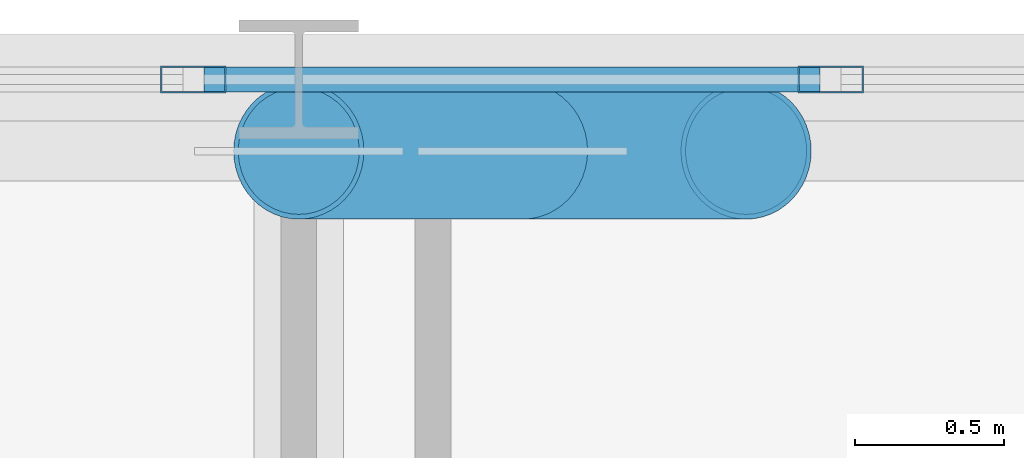
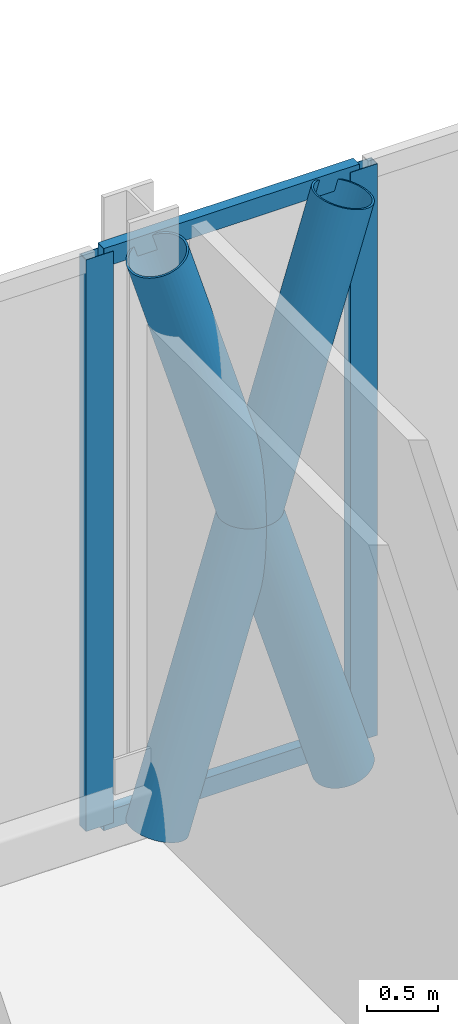
# One storey, part 15 of 36: 7 members, 2 elements without a shape of their own.
"""IFC4 building model written with IfcOpenShell, lengths in metres."""

from ifc_helpers import new_model, si_unit, direction, frame, origin, origin_2d, place, context, subcontext, project, spatial, hollow_rectangle, hollow_circle, extrude, material, layer, layer_set, material_profile, profile_set, type_object, element, aggregate, save


model = new_model("IFC4")

# Units and contexts
model_context = context("Model", 3, precision=1e-05, world=origin(), true_north=direction((0.0, 1.0)))
body_context = subcontext(model_context, "Body", "Model", "MODEL_VIEW")
ifc_project = project(units=[si_unit("LENGTHUNIT", "METRE"), si_unit("AREAUNIT", "SQUARE_METRE"), si_unit("VOLUMEUNIT", "CUBIC_METRE"), si_unit("PLANEANGLEUNIT", "RADIAN"), si_unit("MASSUNIT", "GRAM", prefix="KILO")], contexts=[model_context])

# Site, building, storey
site_placement = place(None, origin())
site = spatial("IfcSite", under=ifc_project, at=site_placement, CompositionType="ELEMENT")
building_placement = place(site_placement, origin())
building = spatial("IfcBuilding", under=site, at=building_placement, Name="Keshet Zoharim Tower", CompositionType="ELEMENT")
storey_placement = place(building_placement, frame((0.0, 0.0, 81.199951171875)))
storey = spatial("IfcBuildingStorey", under=building, at=storey_placement, Name="L19", CompositionType="ELEMENT", Elevation=81.199951171875)

# Curtain wall, member
ifc_material_1 = material(Name="Aluminium 6063-T6", Category="aluminium")
ifc_layer = layer(ifc_material_1, 0.169921875)
ifc_layer_set = layer_set([ifc_layer], Name="Aluminium 6063-T6")
curtain_wall_type = type_object("IfcCurtainWallType", Name="CW-SYS-02", PredefinedType="NOTDEFINED", material=ifc_layer_set)
curtain_wall_1_placement = place(storey_placement, origin())
curtain_wall_1 = element("IfcCurtainWall", 1, at=curtain_wall_1_placement, inside=storey, type_object=curtain_wall_type, Name="L19 Unitised Curtain Wall 07 Part 5", PredefinedType="NOTDEFINED")
ifc_material_profile_1 = material_profile(ifc_material_1, hollow_rectangle(XDim=0.090087890625, YDim=0.219970703125, WallThickness=0.0048828125, at=origin_2d()), Name="MUL-90x220")
ifc_profile_set_1 = profile_set([ifc_material_profile_1], Name="Aluminium 6063-T6")
member_type_1 = type_object("IfcMemberType", Name="CWM-M22", PredefinedType="MULLION", material=ifc_profile_set_1)
member_1_placement = place(storey_placement, frame((32.646484375, 53.89990234375, 0.0), z_axis=(0.0, 0.0, 1.0), x_axis=(0.0, 1.0, 0.0)))
member_1 = element("IfcMember", 2, at=member_1_placement, type_object=member_type_1, Name="CW-02 mullion 2", PredefinedType="MULLION", context=body_context, shape_type="SweptSolid", body=[
    extrude(hollow_rectangle(XDim=0.090087890625, YDim=0.219970703125, WallThickness=0.0048828125, at=origin_2d()), origin(), (0.0, 0.0, 1.0), 4.885009765625),
])
aggregate(curtain_wall_1, [member_1])

# Curtain wall, members
curtain_wall_2_placement = place(storey_placement, origin())
curtain_wall_2 = element("IfcCurtainWall", 3, at=curtain_wall_2_placement, inside=storey, type_object=curtain_wall_type, Name="L19 Unitised Curtain Wall 07 Part 6", PredefinedType="NOTDEFINED")
member_2_placement = place(storey_placement, frame((34.783447265625, 53.89990234375, 0.0), z_axis=(0.0, 0.0, 1.0), x_axis=(0.0, 1.0, 0.0)))
member_2 = element("IfcMember", 4, at=member_2_placement, type_object=member_type_1, Name="CW-02 mullion 2", PredefinedType="MULLION", context=body_context, shape_type="SweptSolid", body=[
    extrude(hollow_rectangle(XDim=0.090087890625, YDim=0.219970703125, WallThickness=0.0048828125, at=origin_2d()), origin(), (0.0, 0.0, 1.0), 4.885009765625),
])
ifc_material_profile_2 = material_profile(ifc_material_1, hollow_rectangle(XDim=0.0849609375, YDim=0.159912109375, WallThickness=0.00439453125, at=origin_2d()), Name="TRN-85x160")
ifc_profile_set_2 = profile_set([ifc_material_profile_2], Name="Aluminium 6063-T6")
member_type_2 = type_object("IfcMemberType", Name="CWT-T16", PredefinedType="USERDEFINED", material=ifc_profile_set_2)
member_3_placement = place(storey_placement, frame((32.681640625, 53.89990234375, 0.03515625), z_axis=(1.0, 0.0, 0.0), x_axis=(0.0, 1.0, 0.0)))
member_3 = element("IfcMember", 5, at=member_3_placement, type_object=member_type_2, Name="CW-02 transom 1.1", ObjectType="TRANSOM", PredefinedType="USERDEFINED", context=body_context, shape_type="SweptSolid", body=[
    extrude(hollow_rectangle(XDim=0.0849609375, YDim=0.159912109375, WallThickness=0.00439453125, at=origin_2d()), origin(), (0.0, 0.0, 1.0), 2.066650390625),
])
member_4_placement = place(storey_placement, frame((32.681640625, 53.89990234375, 4.85009765625), z_axis=(1.0, 0.0, 0.0), x_axis=(0.0, 1.0, 0.0)))
member_4 = element("IfcMember", 6, at=member_4_placement, type_object=member_type_2, Name="CW-02 transom 1.2", ObjectType="TRANSOM", PredefinedType="USERDEFINED", context=body_context, shape_type="SweptSolid", body=[
    extrude(hollow_rectangle(XDim=0.0849609375, YDim=0.159912109375, WallThickness=0.00439453125, at=origin_2d()), origin(), (0.0, 0.0, 1.0), 2.066650390625),
])
aggregate(curtain_wall_2, [member_2, member_3, member_4])

# Members
ifc_material_2 = material(Name="Steel S355", Category="steel")
ifc_material_profile_3 = material_profile(ifc_material_2, hollow_circle(Radius=0.228515625, WallThickness=0.01611328125, at=origin_2d()), Name="CHS457x16")
ifc_profile_set_3 = profile_set([ifc_material_profile_3], Name="Steel S355")
member_type_3 = type_object("IfcMemberType", Name="MB-BELT-C457", PredefinedType="BRACE", material=ifc_profile_set_3)
member_5_placement = place(storey_placement, frame((33.0, 53.659912109375, 0.0), z_axis=(0.293535214916, 0.0, 0.955948260945), x_axis=(0.0, 1.0, 0.0)))
element("IfcMember", 7, at=member_5_placement, inside=storey, type_object=member_type_3, Name="L19 Perimeter Belt Truss Continuous Diagonal A05", PredefinedType="BRACE", context=body_context, shape_type="SweptSolid", body=[
    extrude(hollow_circle(Radius=0.228515625, WallThickness=0.01611328125, at=origin_2d()), origin(), (0.0, 0.0, 1.0), 5.110107421875),
])
member_6_placement = place(storey_placement, frame((34.5, 53.659912109375, 0.0), z_axis=(-0.293521809364, 0.0, 0.955952377176), x_axis=(0.0, -1.0, 0.0)))
element("IfcMember", 8, at=member_6_placement, inside=storey, type_object=member_type_3, Name="L19 Perimeter Belt Truss Split Diagonal B1-05", PredefinedType="BRACE", context=body_context, shape_type="SweptSolid", body=[
    extrude(hollow_circle(Radius=0.228515625, WallThickness=0.01611328125, at=origin_2d()), origin(), (0.0, 0.0, 1.0), 2.55517578125),
])
member_7_placement = place(storey_placement, frame((33.75, 53.659912109375, 2.442626953125), z_axis=(-0.293548621635, 0.0, 0.955944144151), x_axis=(0.0, -1.0, 0.0)))
element("IfcMember", 9, at=member_7_placement, inside=storey, type_object=member_type_3, Name="L19 Perimeter Belt Truss Split Diagonal B2-05", PredefinedType="BRACE", context=body_context, shape_type="SweptSolid", body=[
    extrude(hollow_circle(Radius=0.228515625, WallThickness=0.01611328125, at=origin_2d()), origin(), (0.0, 0.0, 1.0), 2.554931640625),
])

save(model, "model.ifc")
